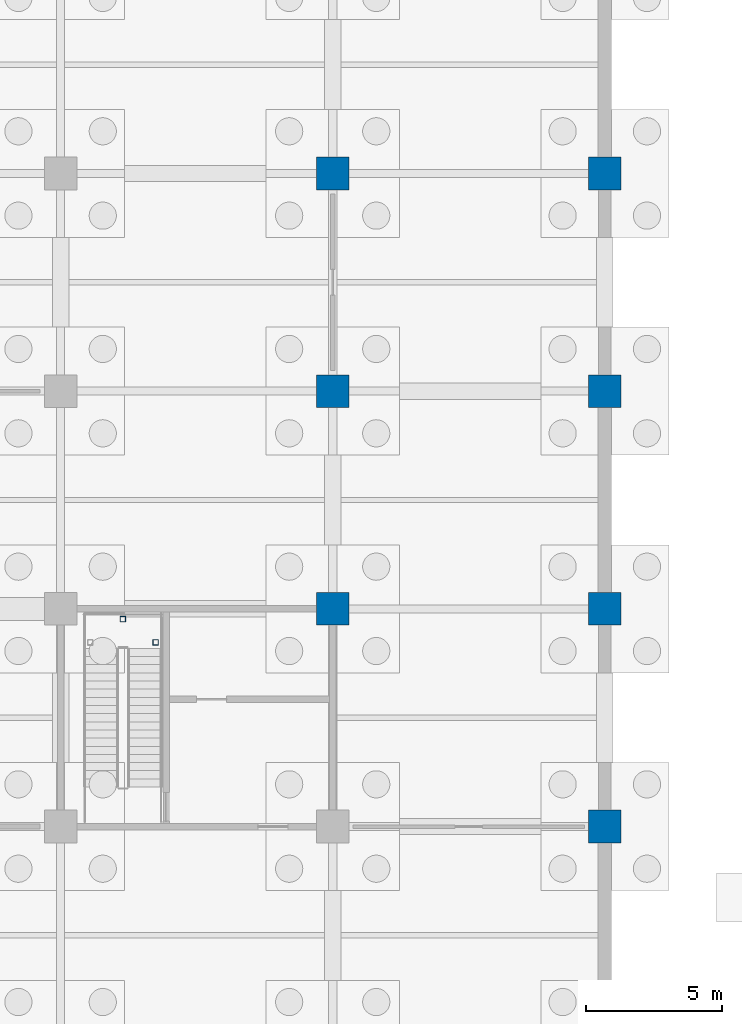
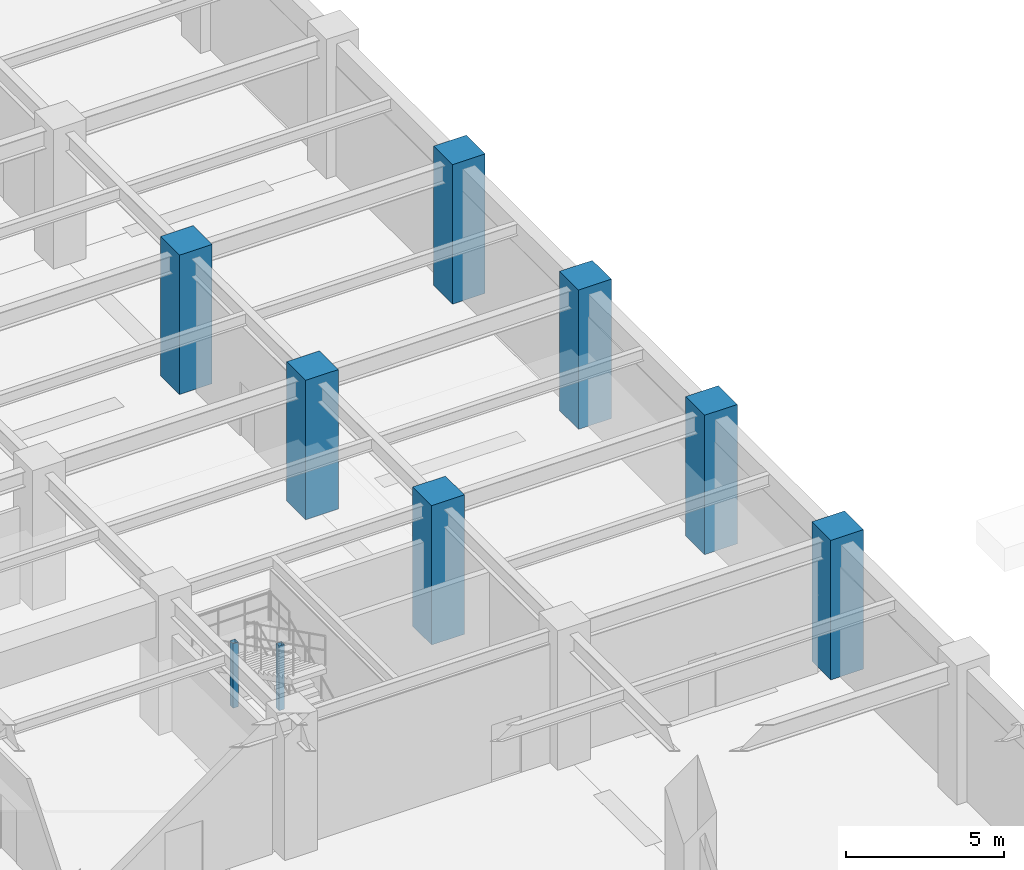
# One storey, part 45 of 97: 9 columns.
"""IFC4 building model written with IfcOpenShell, lengths in metres."""

from ifc_helpers import new_model, si_unit, direction, frame, origin, origin_2d, place, context, subcontext, project, spatial, rectangle, hollow_rectangle, extrude, material, material_profile, profile_set, type_object, element, save


model = new_model("IFC4")

# Units and contexts
model_context = context("Model", 3, precision=1e-05, world=origin(), true_north=direction((0.0, 1.0)))
body_context = subcontext(model_context, "Body", "Model", "MODEL_VIEW")
ifc_project = project(units=[si_unit("LENGTHUNIT", "METRE"), si_unit("AREAUNIT", "SQUARE_METRE"), si_unit("VOLUMEUNIT", "CUBIC_METRE"), si_unit("PLANEANGLEUNIT", "RADIAN"), si_unit("MASSUNIT", "GRAM", prefix="KILO")], contexts=[model_context])

# Site, building, storey
site_placement = place(None, origin())
site = spatial("IfcSite", under=ifc_project, at=site_placement, CompositionType="ELEMENT")
building_placement = place(site_placement, origin())
building = spatial("IfcBuilding", under=site, at=building_placement, Name="Haebicheon Civic Stadium", CompositionType="ELEMENT")
storey_placement = place(building_placement, frame((0.0, 0.0, -5.39990234375)))
storey = spatial("IfcBuildingStorey", under=building, at=storey_placement, Name="B1", CompositionType="ELEMENT", Elevation=-5.39990234375)

# Columns
ifc_material_1 = material(Name="Concrete C40/50", Category="concrete")
ifc_material_profile_1 = material_profile(ifc_material_1, rectangle(XDim=1.199951171875, YDim=1.199951171875, at=origin_2d()), Name="RC-COL-1200x1200")
ifc_profile_set_1 = profile_set([ifc_material_profile_1], Name="Concrete C40/50")
column_type_1 = type_object("IfcColumnType", Name="COL-RC-1200", PredefinedType="COLUMN", material=ifc_profile_set_1)
for number, where, z_axis, x_axis, name in (
    (1, (226.0, 72.0, 0.0), (0.0, 0.0, 1.0), (1.0, 0.0, 0.0), "B1 column 29/K"),
    (2, (226.0, 80.0, 0.0), (0.0, 0.0, 1.0), (1.0, 0.0, 0.0), "B1 column 29/L"),
    (3, (226.0, 88.0, 0.0), (0.0, 0.0, 1.0), (1.0, 0.0, 0.0), "B1 column 29/M"),
    (4, (236.0, 64.0, 0.0), (0.0, 0.0, 1.0), (1.0, 0.0, 0.0), "B1 column 30/J"),
    (5, (236.0, 72.0, 0.0), (0.0, 0.0, 1.0), (1.0, 0.0, 0.0), "B1 column 30/K"),
    (6, (236.0, 80.0, 0.0), (0.0, 0.0, 1.0), (1.0, 0.0, 0.0), "B1 column 30/L"),
    (7, (236.0, 88.0, 0.0), (0.0, 0.0, 1.0), (1.0, 0.0, 0.0), "B1 column 30/M"),
):
    element("IfcColumn", number, at=place(storey_placement, frame(where, z_axis=z_axis, x_axis=x_axis)), inside=storey, type_object=column_type_1, material=ifc_profile_set_1, Name=name, PredefinedType="COLUMN", context=body_context, shape_type="SweptSolid", body=[
        extrude(rectangle(XDim=1.199951171875, YDim=1.199951171875, at=origin_2d()), origin(), (0.0, 0.0, 1.0), 5.39990234375),
    ])
ifc_material_2 = material(Name="Steel SM355 (S355)", Category="steel")
ifc_material_profile_2 = material_profile(ifc_material_2, hollow_rectangle(XDim=0.199951171875, YDim=0.199951171875, WallThickness=0.009033203125, at=origin_2d()), Name="RHS-200x200x9.0")
ifc_profile_set_2 = profile_set([ifc_material_profile_2], Name="Steel SM355 (S355)")
column_type_2 = type_object("IfcColumnType", Name="COL-ST-RHS200", PredefinedType="COLUMN", material=ifc_profile_set_2)
for number, where, z_axis, x_axis, name in (
    (8, (219.489990234375, 70.77001953125, 0.0), (0.0, 0.0, 1.0), (1.0, 0.0, 0.0), "KC-12 B1 stair half-landing support post B"),
    (9, (218.2900390625, 71.6201171875, 0.0), (0.0, 0.0, 1.0), (1.0, 0.0, 0.0), "KC-12 B1 stair half-landing support post C"),
):
    element("IfcColumn", number, at=place(storey_placement, frame(where, z_axis=z_axis, x_axis=x_axis)), inside=storey, type_object=column_type_2, material=ifc_profile_set_2, Name=name, PredefinedType="COLUMN", context=body_context, shape_type="SweptSolid", body=[
        extrude(hollow_rectangle(XDim=0.199951171875, YDim=0.199951171875, WallThickness=0.009033203125, at=origin_2d()), origin(), (0.0, 0.0, 1.0), 2.5),
    ])

save(model, "model.ifc")
